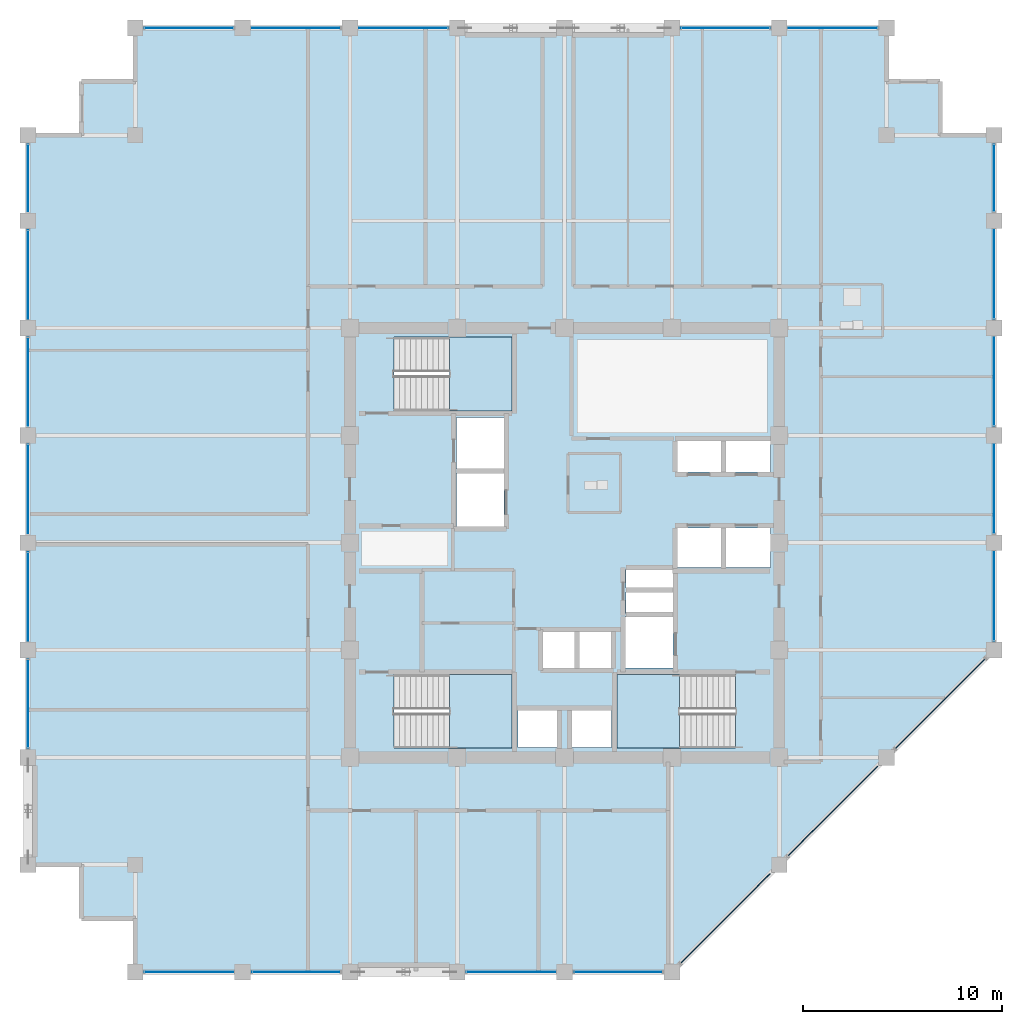
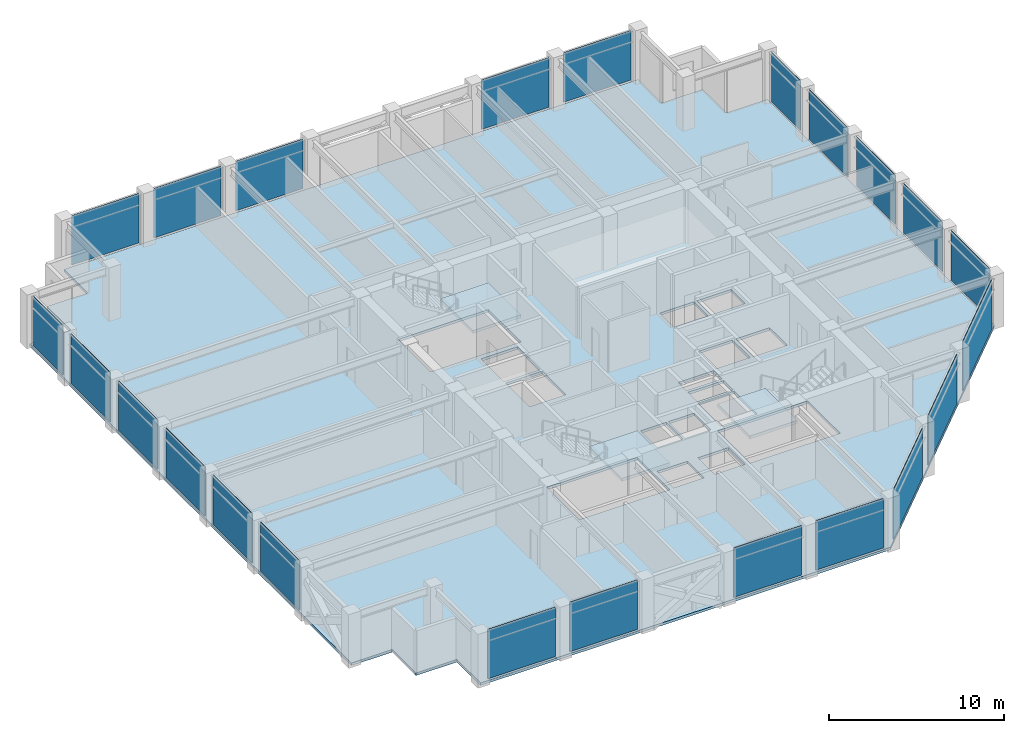
# One storey, part 26 of 32: 23 plates, 4 slabs, 10 elements without a shape of their own.
"""IFC4 building model written with IfcOpenShell, lengths in metres."""

from ifc_helpers import new_model, si_unit, direction, frame, frame_2d, origin, place, context, subcontext, project, spatial, polyline, rectangle, outline, extrude, material, layer, layer_set, type_object, element, aggregate, save


model = new_model("IFC4")

# Units and contexts
model_context = context("Model", 3, precision=1e-05, world=origin(), true_north=direction((0.0, 1.0)))
body_context = subcontext(model_context, "Body", "Model", "MODEL_VIEW")
ifc_project = project(units=[si_unit("LENGTHUNIT", "METRE"), si_unit("AREAUNIT", "SQUARE_METRE"), si_unit("VOLUMEUNIT", "CUBIC_METRE"), si_unit("PLANEANGLEUNIT", "RADIAN"), si_unit("MASSUNIT", "GRAM", prefix="KILO")], contexts=[model_context])

# Site, building, storey
site_placement = place(None, origin())
site = spatial("IfcSite", under=ifc_project, at=site_placement, CompositionType="ELEMENT")
building_placement = place(site_placement, origin())
building = spatial("IfcBuilding", under=site, at=building_placement, Name="Surkhivell Harbour Commons", CompositionType="ELEMENT")
storey_placement = place(building_placement, frame((0.0, 0.0, 223.5)))
storey = spatial("IfcBuildingStorey", under=building, at=storey_placement, Name="L58", CompositionType="ELEMENT", Elevation=223.5)

# Curtain wall, plates
ifc_material_1 = material(Name="Anodised pale-metal aluminium and insulated glazing", Category="aluminium")
ifc_layer_1 = layer(ifc_material_1, 0.18994140625)
ifc_layer_set_1 = layer_set([ifc_layer_1], Name="Anodised pale-metal aluminium and insulated glazing")
curtain_wall_type = type_object("IfcCurtainWallType", Name="CW-SYS-Z3", PredefinedType="NOTDEFINED", material=ifc_layer_set_1)
curtain_wall_1_placement = place(storey_placement, origin())
curtain_wall_1 = element("IfcCurtainWall", 1, at=curtain_wall_1_placement, inside=storey, type_object=curtain_wall_type, Name="L58 Curtain Wall CW-L58-E00S1", PredefinedType="NOTDEFINED")
ifc_material_2 = material(Name="High-pressure typhoon laminated vision glass", Category="glass")
ifc_layer_2 = layer(ifc_material_2, 0.035888671875)
ifc_layer_set_2 = layer_set([ifc_layer_2], Name="High-pressure typhoon laminated vision glass")
plate_type = type_object("IfcPlateType", Name="CWP-GLZ-36", PredefinedType="CURTAIN_PANEL", material=ifc_layer_set_2)
plate_1_placement = place(storey_placement, frame((-21.123046875, -21.60009765625, 0.1298828125), z_axis=(0.0, 0.0, 1.0), x_axis=(1.0, 0.0, 0.0)))
plate_1 = element("IfcPlate", 2, at=plate_1_placement, type_object=plate_type, Name="CW-Z3 panel 1.1", PredefinedType="CURTAIN_PANEL", context=body_context, shape_type="SweptSolid", body=[
    extrude(rectangle(XDim=4.446044921875, YDim=0.035888671875, at=frame_2d((2.22314453125, 0.0))), origin(), (0.0, 0.0, 1.0), 3.440185546875),
])
plate_2_placement = place(storey_placement, frame((-15.722900390625, -21.60009765625, 0.1298828125), z_axis=(0.0, 0.0, 1.0), x_axis=(1.0, 0.0, 0.0)))
plate_2 = element("IfcPlate", 3, at=plate_2_placement, type_object=plate_type, Name="CW-Z3 panel 2.1", PredefinedType="CURTAIN_PANEL", context=body_context, shape_type="SweptSolid", body=[
    extrude(rectangle(XDim=4.44580078125, YDim=0.035888671875, at=frame_2d((2.222900390625, 0.0))), origin(), (0.0, 0.0, 1.0), 3.440185546875),
])
aggregate(curtain_wall_1, [plate_1, plate_2])

curtain_wall_2_placement = place(storey_placement, origin())
curtain_wall_2 = element("IfcCurtainWall", 4, at=curtain_wall_2_placement, inside=storey, type_object=curtain_wall_type, Name="L58 Curtain Wall CW-L58-E00S2", PredefinedType="NOTDEFINED")
plate_3_placement = place(storey_placement, frame((-4.923095703125, -21.60009765625, 0.1298828125), z_axis=(0.0, 0.0, 1.0), x_axis=(1.0, 0.0, 0.0)))
plate_3 = element("IfcPlate", 5, at=plate_3_placement, type_object=plate_type, Name="CW-Z3 panel 1.1", PredefinedType="CURTAIN_PANEL", context=body_context, shape_type="SweptSolid", body=[
    extrude(rectangle(XDim=4.446044921875, YDim=0.035888671875, at=frame_2d((2.22314453125, 0.0))), origin(), (0.0, 0.0, 1.0), 3.440185546875),
])
plate_4_placement = place(storey_placement, frame((0.47705078125, -21.60009765625, 0.1298828125), z_axis=(0.0, 0.0, 1.0), x_axis=(1.0, 0.0, 0.0)))
plate_4 = element("IfcPlate", 6, at=plate_4_placement, type_object=plate_type, Name="CW-Z3 panel 2.1", PredefinedType="CURTAIN_PANEL", context=body_context, shape_type="SweptSolid", body=[
    extrude(rectangle(XDim=4.446044921875, YDim=0.035888671875, at=frame_2d((2.22314453125, 0.0))), origin(), (0.0, 0.0, 1.0), 3.440185546875),
])
aggregate(curtain_wall_2, [plate_3, plate_4])

curtain_wall_3_placement = place(storey_placement, origin())
curtain_wall_3 = element("IfcCurtainWall", 7, at=curtain_wall_3_placement, inside=storey, type_object=curtain_wall_type, Name="L58 Curtain Wall CW-L58-E01", PredefinedType="NOTDEFINED")
plate_5_placement = place(storey_placement, frame((5.854736328125, -21.145263671875, 0.1298828125), z_axis=(0.0, 0.0, 1.0), x_axis=(0.707106781187, 0.707106781187, 0.0)))
plate_5 = element("IfcPlate", 8, at=plate_5_placement, type_object=plate_type, Name="CW-Z3 panel 1.1", PredefinedType="CURTAIN_PANEL", context=body_context, shape_type="SweptSolid", body=[
    extrude(rectangle(XDim=6.3505859375, YDim=0.035888671875, at=frame_2d((3.17529296875, 0.0))), origin(), (0.0, 0.0, 1.0), 3.440185546875),
])
plate_6_placement = place(storey_placement, frame((11.254638671875, -15.745361328125, 0.1298828125), z_axis=(0.0, 0.0, 1.0), x_axis=(0.707106781187, 0.707106781187, 0.0)))
plate_6 = element("IfcPlate", 9, at=plate_6_placement, type_object=plate_type, Name="CW-Z3 panel 2.1", PredefinedType="CURTAIN_PANEL", context=body_context, shape_type="SweptSolid", body=[
    extrude(rectangle(XDim=6.350830078125, YDim=0.035888671875, at=frame_2d((3.17529296875, 0.0))), origin(), (0.0, 0.0, 1.0), 3.440185546875),
])
plate_7_placement = place(storey_placement, frame((16.65478515625, -10.34521484375, 0.1298828125), z_axis=(0.0, 0.0, 1.0), x_axis=(0.707106781187, 0.707106781187, 0.0)))
plate_7 = element("IfcPlate", 10, at=plate_7_placement, type_object=plate_type, Name="CW-Z3 panel 3.1", PredefinedType="CURTAIN_PANEL", context=body_context, shape_type="SweptSolid", body=[
    extrude(rectangle(XDim=6.3505859375, YDim=0.035888671875, at=frame_2d((3.17529296875, 0.0))), origin(), (0.0, 0.0, 1.0), 3.440185546875),
])
aggregate(curtain_wall_3, [plate_5, plate_6, plate_7])

curtain_wall_4_placement = place(storey_placement, origin())
curtain_wall_4 = element("IfcCurtainWall", 11, at=curtain_wall_4_placement, inside=storey, type_object=curtain_wall_type, Name="L58 Curtain Wall CW-L58-E02", PredefinedType="NOTDEFINED")
plate_8_placement = place(storey_placement, frame((21.60009765625, -4.923095703125, 0.1298828125), z_axis=(0.0, 0.0, 1.0), x_axis=(0.0, 1.0, 0.0)))
plate_8 = element("IfcPlate", 12, at=plate_8_placement, type_object=plate_type, Name="CW-Z3 panel 1.1", PredefinedType="CURTAIN_PANEL", context=body_context, shape_type="SweptSolid", body=[
    extrude(rectangle(XDim=4.446044921875, YDim=0.035888671875, at=frame_2d((2.22314453125, 0.0))), origin(), (0.0, 0.0, 1.0), 3.440185546875),
])
plate_9_placement = place(storey_placement, frame((21.60009765625, 0.47705078125, 0.1298828125), z_axis=(0.0, 0.0, 1.0), x_axis=(0.0, 1.0, 0.0)))
plate_9 = element("IfcPlate", 13, at=plate_9_placement, type_object=plate_type, Name="CW-Z3 panel 2.1", PredefinedType="CURTAIN_PANEL", context=body_context, shape_type="SweptSolid", body=[
    extrude(rectangle(XDim=4.446044921875, YDim=0.035888671875, at=frame_2d((2.22314453125, 0.0))), origin(), (0.0, 0.0, 1.0), 3.440185546875),
])
plate_10_placement = place(storey_placement, frame((21.60009765625, 5.876953125, 0.1298828125), z_axis=(0.0, 0.0, 1.0), x_axis=(0.0, 1.0, 0.0)))
plate_10 = element("IfcPlate", 14, at=plate_10_placement, type_object=plate_type, Name="CW-Z3 panel 3.1", PredefinedType="CURTAIN_PANEL", context=body_context, shape_type="SweptSolid", body=[
    extrude(rectangle(XDim=4.446044921875, YDim=0.035888671875, at=frame_2d((2.22314453125, 0.0))), origin(), (0.0, 0.0, 1.0), 3.440185546875),
])
plate_11_placement = place(storey_placement, frame((21.60009765625, 11.277099609375, 0.1298828125), z_axis=(0.0, 0.0, 1.0), x_axis=(0.0, 1.0, 0.0)))
plate_11 = element("IfcPlate", 15, at=plate_11_placement, type_object=plate_type, Name="CW-Z3 panel 4.1", PredefinedType="CURTAIN_PANEL", context=body_context, shape_type="SweptSolid", body=[
    extrude(rectangle(XDim=4.44580078125, YDim=0.035888671875, at=frame_2d((2.222900390625, 0.0))), origin(), (0.0, 0.0, 1.0), 3.440185546875),
])
plate_12_placement = place(storey_placement, frame((21.60009765625, 16.677001953125, 0.1298828125), z_axis=(0.0, 0.0, 1.0), x_axis=(0.0, 1.0, 0.0)))
plate_12 = element("IfcPlate", 16, at=plate_12_placement, type_object=plate_type, Name="CW-Z3 panel 5.1", PredefinedType="CURTAIN_PANEL", context=body_context, shape_type="SweptSolid", body=[
    extrude(rectangle(XDim=3.345947265625, YDim=0.035888671875, at=frame_2d((1.6728515625, 0.0))), origin(), (0.0, 0.0, 1.0), 3.440185546875),
])
aggregate(curtain_wall_4, [plate_8, plate_9, plate_10, plate_11, plate_12])

curtain_wall_5_placement = place(storey_placement, origin())
curtain_wall_5 = element("IfcCurtainWall", 17, at=curtain_wall_5_placement, inside=storey, type_object=curtain_wall_type, Name="L58 Curtain Wall CW-L58-E07S1", PredefinedType="NOTDEFINED")
plate_13_placement = place(storey_placement, frame((15.722900390625, 25.89990234375, 0.1298828125), z_axis=(0.0, 0.0, 1.0), x_axis=(-1.0, 0.0, 0.0)))
plate_13 = element("IfcPlate", 18, at=plate_13_placement, type_object=plate_type, Name="CW-Z3 panel 1.1", PredefinedType="CURTAIN_PANEL", context=body_context, shape_type="SweptSolid", body=[
    extrude(rectangle(XDim=4.44580078125, YDim=0.035888671875, at=frame_2d((2.222900390625, 0.0))), origin(), (0.0, 0.0, 1.0), 3.440185546875),
])
plate_14_placement = place(storey_placement, frame((10.322998046875, 25.89990234375, 0.1298828125), z_axis=(0.0, 0.0, 1.0), x_axis=(-1.0, 0.0, 0.0)))
plate_14 = element("IfcPlate", 19, at=plate_14_placement, type_object=plate_type, Name="CW-Z3 panel 2.1", PredefinedType="CURTAIN_PANEL", context=body_context, shape_type="SweptSolid", body=[
    extrude(rectangle(XDim=4.446044921875, YDim=0.035888671875, at=frame_2d((2.22314453125, 0.0))), origin(), (0.0, 0.0, 1.0), 3.440185546875),
])
aggregate(curtain_wall_5, [plate_13, plate_14])

curtain_wall_6_placement = place(storey_placement, origin())
curtain_wall_6 = element("IfcCurtainWall", 20, at=curtain_wall_6_placement, inside=storey, type_object=curtain_wall_type, Name="L58 Curtain Wall CW-L58-E07S2", PredefinedType="NOTDEFINED")
plate_15_placement = place(storey_placement, frame((-5.876953125, 25.89990234375, 0.1298828125), z_axis=(0.0, 0.0, 1.0), x_axis=(-1.0, 0.0, 0.0)))
plate_15 = element("IfcPlate", 21, at=plate_15_placement, type_object=plate_type, Name="CW-Z3 panel 1.1", PredefinedType="CURTAIN_PANEL", context=body_context, shape_type="SweptSolid", body=[
    extrude(rectangle(XDim=4.446044921875, YDim=0.035888671875, at=frame_2d((2.22314453125, 0.0))), origin(), (0.0, 0.0, 1.0), 3.440185546875),
])
plate_16_placement = place(storey_placement, frame((-11.277099609375, 25.89990234375, 0.1298828125), z_axis=(0.0, 0.0, 1.0), x_axis=(-1.0, 0.0, 0.0)))
plate_16 = element("IfcPlate", 22, at=plate_16_placement, type_object=plate_type, Name="CW-Z3 panel 2.1", PredefinedType="CURTAIN_PANEL", context=body_context, shape_type="SweptSolid", body=[
    extrude(rectangle(XDim=4.44580078125, YDim=0.035888671875, at=frame_2d((2.222900390625, 0.0))), origin(), (0.0, 0.0, 1.0), 3.440185546875),
])
plate_17_placement = place(storey_placement, frame((-16.677001953125, 25.89990234375, 0.1298828125), z_axis=(0.0, 0.0, 1.0), x_axis=(-1.0, 0.0, 0.0)))
plate_17 = element("IfcPlate", 23, at=plate_17_placement, type_object=plate_type, Name="CW-Z3 panel 3.1", PredefinedType="CURTAIN_PANEL", context=body_context, shape_type="SweptSolid", body=[
    extrude(rectangle(XDim=4.446044921875, YDim=0.035888671875, at=frame_2d((2.22314453125, 0.0))), origin(), (0.0, 0.0, 1.0), 3.440185546875),
])
aggregate(curtain_wall_6, [plate_15, plate_16, plate_17])

curtain_wall_7_placement = place(storey_placement, origin())
curtain_wall_7 = element("IfcCurtainWall", 24, at=curtain_wall_7_placement, inside=storey, type_object=curtain_wall_type, Name="L58 Curtain Wall CW-L58-E12S1", PredefinedType="NOTDEFINED")
plate_18_placement = place(storey_placement, frame((-27.0, 20.02294921875, 0.1298828125), z_axis=(0.0, 0.0, 1.0), x_axis=(0.0, -1.0, 0.0)))
plate_18 = element("IfcPlate", 25, at=plate_18_placement, type_object=plate_type, Name="CW-Z3 panel 1.1", PredefinedType="CURTAIN_PANEL", context=body_context, shape_type="SweptSolid", body=[
    extrude(rectangle(XDim=3.345947265625, YDim=0.035888671875, at=frame_2d((1.6728515625, 0.0))), origin(), (0.0, 0.0, 1.0), 3.440185546875),
])
plate_19_placement = place(storey_placement, frame((-27.0, 15.722900390625, 0.1298828125), z_axis=(0.0, 0.0, 1.0), x_axis=(0.0, -1.0, 0.0)))
plate_19 = element("IfcPlate", 26, at=plate_19_placement, type_object=plate_type, Name="CW-Z3 panel 2.1", PredefinedType="CURTAIN_PANEL", context=body_context, shape_type="SweptSolid", body=[
    extrude(rectangle(XDim=4.44580078125, YDim=0.035888671875, at=frame_2d((2.222900390625, 0.0))), origin(), (0.0, 0.0, 1.0), 3.440185546875),
])
plate_20_placement = place(storey_placement, frame((-27.0, 10.322998046875, 0.1298828125), z_axis=(0.0, 0.0, 1.0), x_axis=(0.0, -1.0, 0.0)))
plate_20 = element("IfcPlate", 27, at=plate_20_placement, type_object=plate_type, Name="CW-Z3 panel 3.1", PredefinedType="CURTAIN_PANEL", context=body_context, shape_type="SweptSolid", body=[
    extrude(rectangle(XDim=4.446044921875, YDim=0.035888671875, at=frame_2d((2.22314453125, 0.0))), origin(), (0.0, 0.0, 1.0), 3.440185546875),
])
plate_21_placement = place(storey_placement, frame((-27.0, 4.923095703125, 0.1298828125), z_axis=(0.0, 0.0, 1.0), x_axis=(0.0, -1.0, 0.0)))
plate_21 = element("IfcPlate", 28, at=plate_21_placement, type_object=plate_type, Name="CW-Z3 panel 4.1", PredefinedType="CURTAIN_PANEL", context=body_context, shape_type="SweptSolid", body=[
    extrude(rectangle(XDim=4.446044921875, YDim=0.035888671875, at=frame_2d((2.22314453125, 0.0))), origin(), (0.0, 0.0, 1.0), 3.440185546875),
])
plate_22_placement = place(storey_placement, frame((-27.0, -0.47705078125, 0.1298828125), z_axis=(0.0, 0.0, 1.0), x_axis=(0.0, -1.0, 0.0)))
plate_22 = element("IfcPlate", 29, at=plate_22_placement, type_object=plate_type, Name="CW-Z3 panel 5.1", PredefinedType="CURTAIN_PANEL", context=body_context, shape_type="SweptSolid", body=[
    extrude(rectangle(XDim=4.446044921875, YDim=0.035888671875, at=frame_2d((2.22314453125, 0.0))), origin(), (0.0, 0.0, 1.0), 3.440185546875),
])
plate_23_placement = place(storey_placement, frame((-27.0, -5.876953125, 0.1298828125), z_axis=(0.0, 0.0, 1.0), x_axis=(0.0, -1.0, 0.0)))
plate_23 = element("IfcPlate", 30, at=plate_23_placement, type_object=plate_type, Name="CW-Z3 panel 6.1", PredefinedType="CURTAIN_PANEL", context=body_context, shape_type="SweptSolid", body=[
    extrude(rectangle(XDim=4.446044921875, YDim=0.035888671875, at=frame_2d((2.22314453125, 0.0))), origin(), (0.0, 0.0, 1.0), 3.440185546875),
])
aggregate(curtain_wall_7, [plate_18, plate_19, plate_20, plate_21, plate_22, plate_23])

# Stair, slab
ifc_material_3 = material(Name="Precast concrete C45/55", Category="concrete")
stair_type = type_object("IfcStairType", Name="STR-DL-375", PredefinedType="HALF_TURN_STAIR", material=ifc_material_3)
stair_1_placement = place(storey_placement, origin())
stair_1 = element("IfcStair", 31, at=stair_1_placement, inside=storey, type_object=stair_type, Name="L58 Core Exit Stair ST1", PredefinedType="HALF_TURN_STAIR")
ifc_material_4 = material(Name="Reinforced concrete C45/55", Category="concrete")
ifc_layer_3 = layer(ifc_material_4, 0.199951171875)
ifc_layer_set_3 = layer_set([ifc_layer_3], Name="Reinforced concrete C45/55")
slab_type_1 = type_object("IfcSlabType", Name="SLB-ST-LND200", PredefinedType="LANDING", material=ifc_layer_set_3)
slab_1_placement = place(storey_placement, frame((0.0, 0.0, 1.675048828125)))
slab_1 = element("IfcSlab", 32, at=slab_1_placement, type_object=slab_type_1, Name="ST1 landing 1", PredefinedType="LANDING", context=body_context, shape_type="SweptSolid", body=[
    extrude(outline(polyline([(-5.7900390625, 6.639892578125), (-2.639892578125, 6.639892578125), (-2.639892578125, 10.340087890625), (-5.7900390625, 10.340087890625), (-5.7900390625, 6.639892578125)])), origin(), (0.0, 0.0, 1.0), 0.199951171875),
])
aggregate(stair_1, [slab_1])

stair_2_placement = place(storey_placement, origin())
stair_2 = element("IfcStair", 33, at=stair_2_placement, inside=storey, type_object=stair_type, Name="L58 Core Exit Stair ST2", PredefinedType="HALF_TURN_STAIR")
slab_2_placement = place(storey_placement, frame((0.0, 0.0, 1.675048828125)))
slab_2 = element("IfcSlab", 34, at=slab_2_placement, type_object=slab_type_1, Name="ST2 landing 1", PredefinedType="LANDING", context=body_context, shape_type="SweptSolid", body=[
    extrude(outline(polyline([(5.7900390625, -6.639892578125), (2.639892578125, -6.639892578125), (2.639892578125, -10.340087890625), (5.7900390625, -10.340087890625), (5.7900390625, -6.639892578125)])), origin(), (0.0, 0.0, 1.0), 0.199951171875),
])
aggregate(stair_2, [slab_2])

stair_3_placement = place(storey_placement, origin())
stair_3 = element("IfcStair", 35, at=stair_3_placement, inside=storey, type_object=stair_type, Name="L58 Core Exit Stair ST3", PredefinedType="HALF_TURN_STAIR")
slab_3_placement = place(storey_placement, frame((0.0, 0.0, 1.675048828125)))
slab_3 = element("IfcSlab", 36, at=slab_3_placement, type_object=slab_type_1, Name="ST3 landing 1", PredefinedType="LANDING", context=body_context, shape_type="SweptSolid", body=[
    extrude(outline(polyline([(-5.7900390625, -10.340087890625), (-2.639892578125, -10.340087890625), (-2.639892578125, -6.639892578125), (-5.7900390625, -6.639892578125), (-5.7900390625, -10.340087890625)])), origin(), (0.0, 0.0, 1.0), 0.199951171875),
])
aggregate(stair_3, [slab_3])

# Slab
ifc_material_5 = material(Name="Concrete C45/55", Category="concrete")
ifc_layer_4 = layer(ifc_material_5, 0.179931640625)
ifc_layer_set_4 = layer_set([ifc_layer_4], Name="Concrete C45/55")
slab_type_2 = type_object("IfcSlabType", Name="SLB-TYP-180", PredefinedType="FLOOR", material=ifc_layer_set_4)
slab_4_placement = place(storey_placement, frame((0.0, 0.0, -0.179931640625)))
element("IfcSlab", 37, at=slab_4_placement, inside=storey, type_object=slab_type_2, Name="L58 Structural Floor Slab", PredefinedType="FLOOR", context=body_context, shape_type="SweptSolid", body=[
    extrude(outline(polyline([(-21.60009765625, -21.60009765625), (5.39990234375, -21.60009765625), (21.60009765625, -5.39990234375), (21.60009765625, 20.5), (18.89990234375, 20.5), (18.89990234375, 23.199951171875), (16.199951171875, 23.199951171875), (16.199951171875, 25.89990234375), (-21.60009765625, 25.89990234375), (-21.60009765625, 23.199951171875), (-24.300048828125, 23.199951171875), (-24.300048828125, 20.5), (-27.0, 20.5), (-27.0, -16.199951171875), (-24.300048828125, -16.199951171875), (-24.300048828125, -18.89990234375), (-21.60009765625, -18.89990234375), (-21.60009765625, -21.60009765625)]), holes=[polyline([(-8.590087890625, 6.639892578125), (-2.639892578125, 6.639892578125), (-2.639892578125, 10.340087890625), (-8.590087890625, 10.340087890625), (-8.590087890625, 6.639892578125)]), polyline([(8.590087890625, -6.639892578125), (2.639892578125, -6.639892578125), (2.639892578125, -10.340087890625), (8.590087890625, -10.340087890625), (8.590087890625, -6.639892578125)]), polyline([(-8.590087890625, -10.340087890625), (-2.639892578125, -10.340087890625), (-2.639892578125, -6.639892578125), (-8.590087890625, -6.639892578125), (-8.590087890625, -10.340087890625)]), polyline([(5.64990234375, 3.550048828125), (7.89990234375, 3.550048828125), (7.89990234375, 5.14990234375), (5.64990234375, 5.14990234375), (5.64990234375, 3.550048828125)]), polyline([(8.10009765625, 3.550048828125), (10.35009765625, 3.550048828125), (10.35009765625, 5.14990234375), (8.10009765625, 5.14990234375), (8.10009765625, 3.550048828125)]), polyline([(5.64990234375, -1.25), (7.89990234375, -1.25), (7.89990234375, 0.75), (5.64990234375, 0.75), (5.64990234375, -1.25)]), polyline([(8.10009765625, -1.25), (10.35009765625, -1.25), (10.35009765625, 0.75), (8.10009765625, 0.75), (8.10009765625, -1.25)]), polyline([(-1.14990234375, -6.35009765625), (0.550048828125, -6.35009765625), (0.550048828125, -4.449951171875), (-1.14990234375, -4.449951171875), (-1.14990234375, -6.35009765625)]), polyline([(0.679931640625, -6.35009765625), (2.3798828125, -6.35009765625), (2.3798828125, -4.449951171875), (0.679931640625, -4.449951171875), (0.679931640625, -6.35009765625)]), polyline([(-2.35009765625, -10.300048828125), (-0.35009765625, -10.300048828125), (-0.35009765625, -8.39990234375), (-2.35009765625, -8.39990234375), (-2.35009765625, -10.300048828125)]), polyline([(0.35009765625, -10.300048828125), (2.35009765625, -10.300048828125), (2.35009765625, -8.39990234375), (0.35009765625, -8.39990234375), (0.35009765625, -10.300048828125)]), polyline([(-5.449951171875, 3.699951171875), (-3.050048828125, 3.699951171875), (-3.050048828125, 6.300048828125), (-5.449951171875, 6.300048828125), (-5.449951171875, 3.699951171875)]), polyline([(3.050048828125, -6.300048828125), (5.449951171875, -6.300048828125), (5.449951171875, -3.699951171875), (3.050048828125, -3.699951171875), (3.050048828125, -6.300048828125)]), polyline([(-5.449951171875, 0.800048828125), (-3.050048828125, 0.800048828125), (-3.050048828125, 3.5), (-5.449951171875, 3.5), (-5.449951171875, 0.800048828125)]), polyline([(3.10009765625, -3.550048828125), (5.449951171875, -3.550048828125), (5.449951171875, -2.47998046875), (3.10009765625, -2.47998046875), (3.10009765625, -3.550048828125)]), polyline([(3.10009765625, -2.280029296875), (5.449951171875, -2.280029296875), (5.449951171875, -1.35009765625), (3.10009765625, -1.35009765625), (3.10009765625, -2.280029296875)])]), origin(), (0.0, 0.0, 1.0), 0.179931640625),
])

save(model, "model.ifc")
